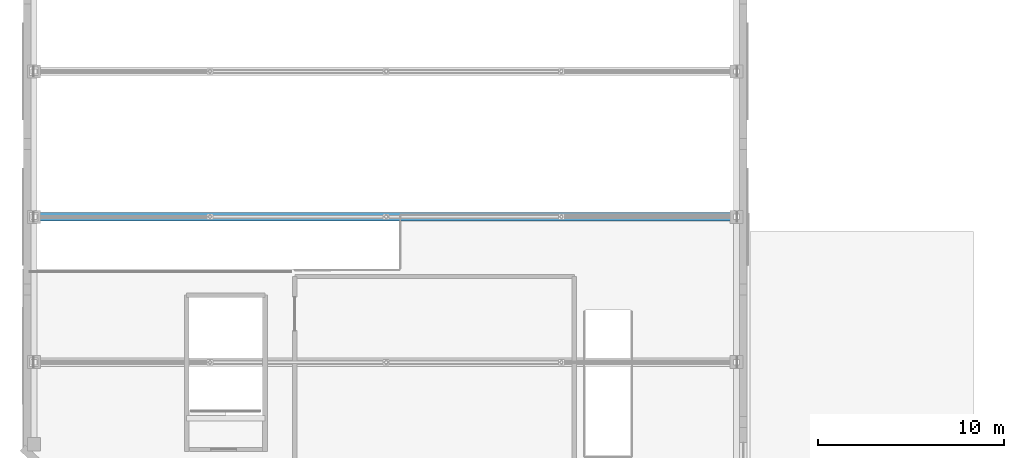
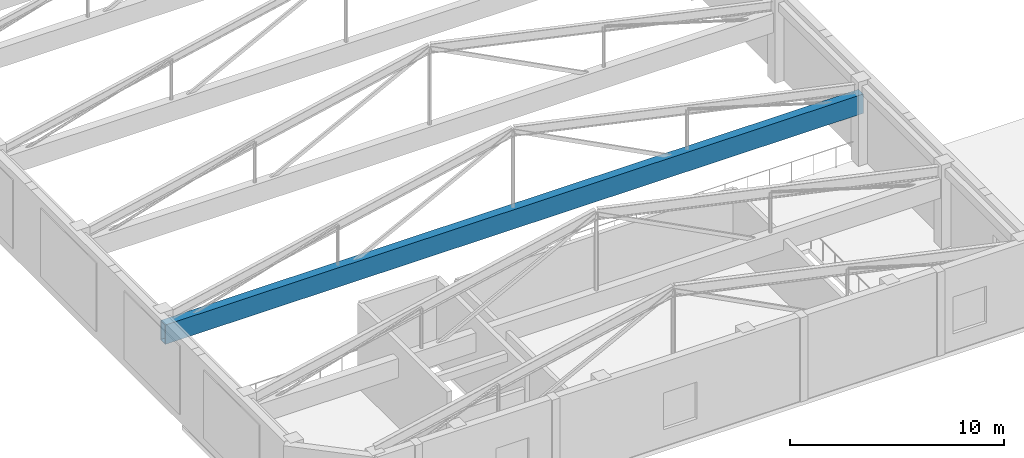
# One storey, part 25 of 105: 1 beam.
"""IFC4 building model written with IfcOpenShell, lengths in metres."""

from ifc_helpers import new_model, si_unit, direction, frame, origin, origin_2d, place, context, subcontext, project, spatial, hollow_rectangle, extrude, material, material_profile, profile_set, type_object, element, save


model = new_model("IFC4")

# Units and contexts
model_context = context("Model", 3, precision=1e-05, world=origin(), true_north=direction((0.0, 1.0)))
body_context = subcontext(model_context, "Body", "Model", "MODEL_VIEW")
ifc_project = project(units=[si_unit("LENGTHUNIT", "METRE"), si_unit("AREAUNIT", "SQUARE_METRE"), si_unit("VOLUMEUNIT", "CUBIC_METRE"), si_unit("PLANEANGLEUNIT", "RADIAN"), si_unit("MASSUNIT", "GRAM", prefix="KILO")], contexts=[model_context])

# Site, building, storey
site_placement = place(None, origin())
site = spatial("IfcSite", under=ifc_project, at=site_placement, CompositionType="ELEMENT")
building_placement = place(site_placement, origin())
building = spatial("IfcBuilding", under=site, at=building_placement, Name="Pelvatis Terrace Science Centre", CompositionType="ELEMENT")
storey_placement = place(building_placement, frame((0.0, 0.0, 10.199951171875)))
storey = spatial("IfcBuildingStorey", under=building, at=storey_placement, Name="L02", CompositionType="ELEMENT", Elevation=10.199951171875)

# Beam
ifc_material = material(Name="Structural steel S355", Category="steel")
ifc_material_profile = material_profile(ifc_material, hollow_rectangle(XDim=0.449951171875, YDim=1.10009765625, WallThickness=0.02197265625, at=origin_2d()), Name="RHS 1100x450x22.0")
ifc_profile_set = profile_set([ifc_material_profile], Name="Structural steel S355")
beam_type = type_object("IfcBeamType", Name="BM-STL-BOX1100", PredefinedType="BEAM", material=ifc_profile_set)
beam_placement = place(storey_placement, frame((8.39990234375, 85.800048828125, 3.400146484375), z_axis=(1.0, 0.0, 0.0), x_axis=(0.0, 1.0, 0.0)))
element("IfcBeam", 1, at=beam_placement, inside=storey, type_object=beam_type, Name="Theatre roof truss 3 bottom tie girder", PredefinedType="BEAM", context=body_context, shape_type="SweptSolid", body=[
    extrude(hollow_rectangle(XDim=0.449951171875, YDim=1.10009765625, WallThickness=0.02197265625, at=origin_2d()), origin(), (0.0, 0.0, 1.0), 37.7001953125),
])

save(model, "model.ifc")
